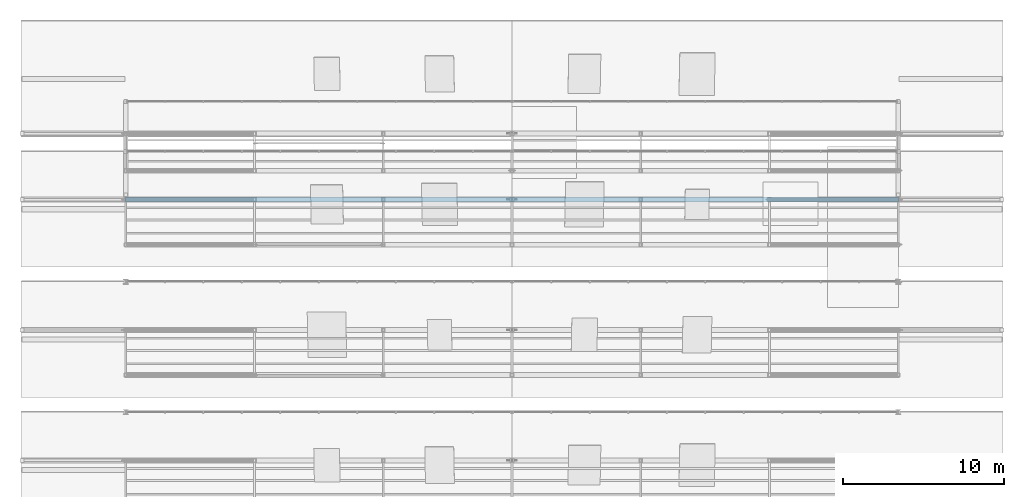
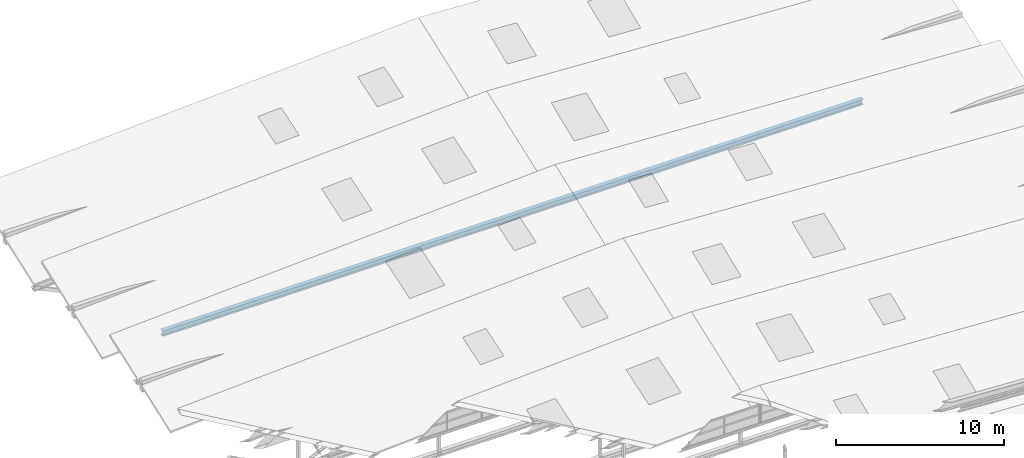
# One storey, part 93 of 141: 1 member.
"""IFC4 building model written with IfcOpenShell, lengths in metres."""

from ifc_helpers import new_model, si_unit, direction, frame, origin, origin_2d, place, context, subcontext, project, spatial, i_section, extrude, material, material_profile, profile_set, type_object, element, save


model = new_model("IFC4")

# Units and contexts
model_context = context("Model", 3, precision=1e-05, world=origin(), true_north=direction((0.0, 1.0)))
body_context = subcontext(model_context, "Body", "Model", "MODEL_VIEW")
ifc_project = project(units=[si_unit("LENGTHUNIT", "METRE"), si_unit("AREAUNIT", "SQUARE_METRE"), si_unit("VOLUMEUNIT", "CUBIC_METRE"), si_unit("PLANEANGLEUNIT", "RADIAN"), si_unit("MASSUNIT", "GRAM", prefix="KILO")], contexts=[model_context])

# Site, building, storey
site_placement = place(None, origin())
site = spatial("IfcSite", under=ifc_project, at=site_placement, CompositionType="ELEMENT")
building_placement = place(site_placement, origin())
building = spatial("IfcBuilding", under=site, at=building_placement, Name="Sundkrona Museum", CompositionType="ELEMENT")
storey_placement = place(building_placement, frame((0.0, 0.0, 34.0)))
storey = spatial("IfcBuildingStorey", under=building, at=storey_placement, Name="RF", CompositionType="ELEMENT", Elevation=34.0)

# Member
ifc_material = material(Name="Steel S355J2", Category="steel")
ifc_material_profile = material_profile(ifc_material, i_section(OverallWidth=0.300048828125, OverallDepth=0.39990234375, WebThickness=0.013427734375, FlangeThickness=0.02392578125, FilletRadius=0.027099609375, at=origin_2d()), Name="HEB 400")
ifc_profile_set = profile_set([ifc_material_profile], Name="Steel S355J2")
member_type = type_object("IfcMemberType", Name="TC-HEB400", PredefinedType="CHORD", material=ifc_profile_set)
member_placement = place(storey_placement, frame((120.0, 39.699951171875, -0.25), z_axis=(1.0, 0.0, 0.0), x_axis=(0.0, 1.0, 0.0)))
element("IfcMember", 1, at=member_placement, inside=storey, type_object=member_type, Name="RFS-1 Sawtooth Truss 6 Continuous Bottom Tie Chord", PredefinedType="CHORD", context=body_context, shape_type="SweptSolid", body=[
    extrude(i_section(OverallWidth=0.300048828125, OverallDepth=0.39990234375, WebThickness=0.013427734375, FlangeThickness=0.02392578125, FilletRadius=0.027099609375, at=origin_2d()), origin(), (0.0, 0.0, 1.0), 48.0),
])

save(model, "model.ifc")
